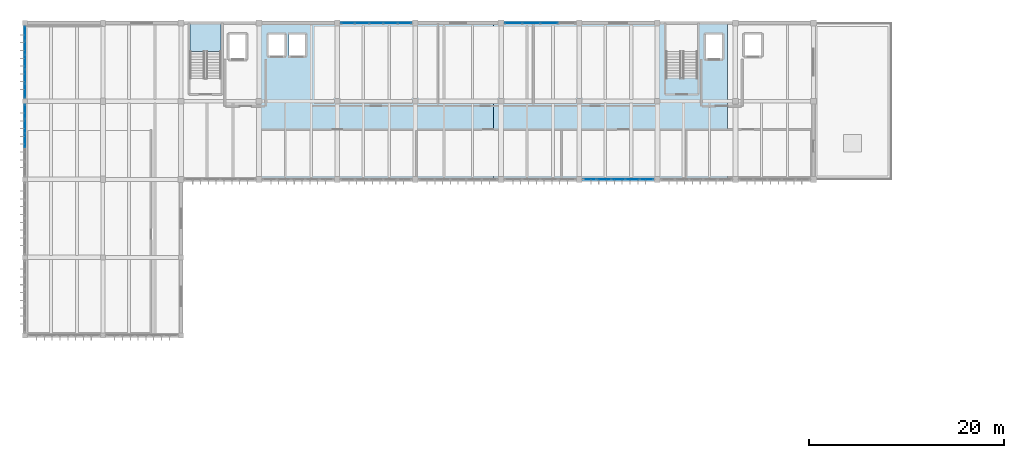
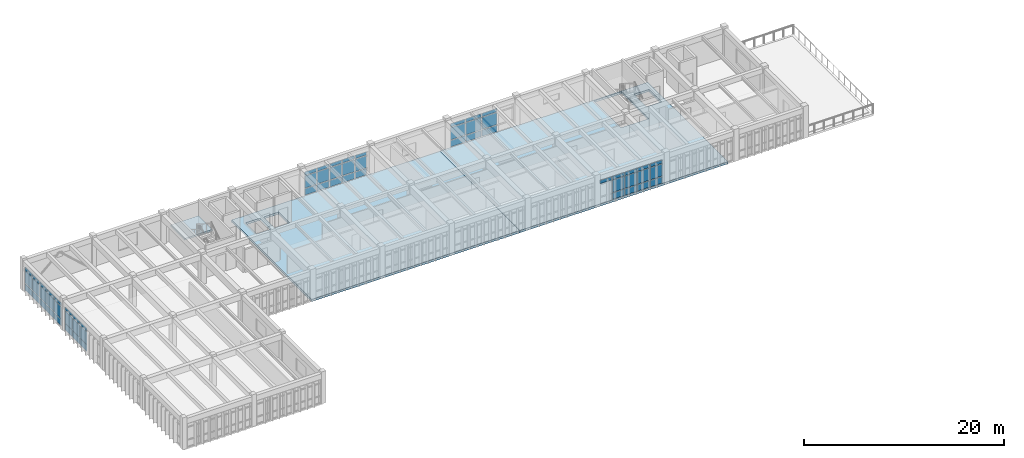
# One storey, part 13 of 22: 61 plates, 3 slabs, 6 elements without a shape of their own.
"""IFC4 building model written with IfcOpenShell, lengths in metres."""

from ifc_helpers import new_model, si_unit, direction, frame, origin, origin_2d, place, context, subcontext, project, spatial, polyline, rectangle, outline, extrude, material, layer, layer_set, type_object, element, aggregate, save


model = new_model("IFC4")

# Units and contexts
model_context = context("Model", 3, precision=1e-05, world=origin(), true_north=direction((0.0, 1.0)))
body_context = subcontext(model_context, "Body", "Model", "MODEL_VIEW")
ifc_project = project(units=[si_unit("LENGTHUNIT", "METRE"), si_unit("AREAUNIT", "SQUARE_METRE"), si_unit("VOLUMEUNIT", "CUBIC_METRE"), si_unit("PLANEANGLEUNIT", "RADIAN"), si_unit("MASSUNIT", "GRAM", prefix="KILO")], contexts=[model_context])

# Site, building, storey
site_placement = place(None, origin())
site = spatial("IfcSite", under=ifc_project, at=site_placement, CompositionType="ELEMENT")
building_placement = place(site_placement, origin())
building = spatial("IfcBuilding", under=site, at=building_placement, Name="Tlaxcora Railside Police Headquarters", CompositionType="ELEMENT")
storey_placement = place(building_placement, frame((0.0, 0.0, 21.89990234375)))
storey = spatial("IfcBuildingStorey", under=building, at=storey_placement, Name="L05", CompositionType="ELEMENT", Elevation=21.89990234375)

# Curtain wall, plates
ifc_material_1 = material(Name="Thermally broken low-E insulated glazing", Category="glass")
curtain_wall_type_1 = type_object("IfcCurtainWallType", Name="Unitised Curtain Wall Assembly CW-23", PredefinedType="NOTDEFINED", material=ifc_material_1)
curtain_wall_1_placement = place(storey_placement, origin())
curtain_wall_1 = element("IfcCurtainWall", 1, at=curtain_wall_1_placement, inside=storey, type_object=curtain_wall_type_1, Name="V5 L05 curtain wall 112", PredefinedType="NOTDEFINED")
ifc_layer_1 = layer(ifc_material_1, 0.0400390625, Name="Thermally broken low-E insulated glazing")
ifc_layer_set_1 = layer_set([ifc_layer_1], Name="Thermally broken low-E insulated glazing")
plate_type_1 = type_object("IfcPlateType", Name="Curtain Wall Infill Panel CW-17", PredefinedType="CURTAIN_PANEL", material=ifc_layer_set_1)
plate_1_placement = place(storey_placement, frame((63.10009765625, 76.800048828125, 2.490234375), z_axis=(0.0, 0.0, 1.0), x_axis=(1.0, 0.0, 0.0)))
plate_1 = element("IfcPlate", 2, at=plate_1_placement, type_object=plate_type_1, Name="CW panel 1.3", PredefinedType="CURTAIN_PANEL", context=body_context, shape_type="SweptSolid", body=[
    extrude(rectangle(XDim=1.340087890625, YDim=0.0400390625, at=origin_2d()), origin(), (0.0, 0.0, 1.0), 0.409912109375),
])
plate_2_placement = place(storey_placement, frame((64.5400390625, 76.800048828125, 0.080078125), z_axis=(0.0, 0.0, 1.0), x_axis=(1.0, 0.0, 0.0)))
plate_2 = element("IfcPlate", 3, at=plate_2_placement, type_object=plate_type_1, Name="CW panel 2.1", PredefinedType="CURTAIN_PANEL", context=body_context, shape_type="SweptSolid", body=[
    extrude(rectangle(XDim=1.3798828125, YDim=0.0400390625, at=origin_2d()), origin(), (0.0, 0.0, 1.0), 0.780029296875),
])
plate_3_placement = place(storey_placement, frame((64.5400390625, 76.800048828125, 0.93994140625), z_axis=(0.0, 0.0, 1.0), x_axis=(1.0, 0.0, 0.0)))
plate_3 = element("IfcPlate", 4, at=plate_3_placement, type_object=plate_type_1, Name="CW panel 2.2", PredefinedType="CURTAIN_PANEL", context=body_context, shape_type="SweptSolid", body=[
    extrude(rectangle(XDim=1.3798828125, YDim=0.0400390625, at=origin_2d()), origin(), (0.0, 0.0, 1.0), 1.469970703125),
])
plate_4_placement = place(storey_placement, frame((64.5400390625, 76.800048828125, 2.490234375), z_axis=(0.0, 0.0, 1.0), x_axis=(1.0, 0.0, 0.0)))
plate_4 = element("IfcPlate", 5, at=plate_4_placement, type_object=plate_type_1, Name="CW panel 2.3", PredefinedType="CURTAIN_PANEL", context=body_context, shape_type="SweptSolid", body=[
    extrude(rectangle(XDim=1.3798828125, YDim=0.0400390625, at=origin_2d()), origin(), (0.0, 0.0, 1.0), 0.409912109375),
])
plate_5_placement = place(storey_placement, frame((66.0, 76.800048828125, 0.080078125), z_axis=(0.0, 0.0, 1.0), x_axis=(1.0, 0.0, 0.0)))
plate_5 = element("IfcPlate", 6, at=plate_5_placement, type_object=plate_type_1, Name="CW panel 3.1", PredefinedType="CURTAIN_PANEL", context=body_context, shape_type="SweptSolid", body=[
    extrude(rectangle(XDim=1.3798828125, YDim=0.0400390625, at=origin_2d()), origin(), (0.0, 0.0, 1.0), 0.780029296875),
])
plate_6_placement = place(storey_placement, frame((66.0, 76.800048828125, 0.93994140625), z_axis=(0.0, 0.0, 1.0), x_axis=(1.0, 0.0, 0.0)))
plate_6 = element("IfcPlate", 7, at=plate_6_placement, type_object=plate_type_1, Name="CW panel 3.2", PredefinedType="CURTAIN_PANEL", context=body_context, shape_type="SweptSolid", body=[
    extrude(rectangle(XDim=1.3798828125, YDim=0.0400390625, at=origin_2d()), origin(), (0.0, 0.0, 1.0), 1.469970703125),
])
plate_7_placement = place(storey_placement, frame((66.0, 76.800048828125, 2.490234375), z_axis=(0.0, 0.0, 1.0), x_axis=(1.0, 0.0, 0.0)))
plate_7 = element("IfcPlate", 8, at=plate_7_placement, type_object=plate_type_1, Name="CW panel 3.3", PredefinedType="CURTAIN_PANEL", context=body_context, shape_type="SweptSolid", body=[
    extrude(rectangle(XDim=1.3798828125, YDim=0.0400390625, at=origin_2d()), origin(), (0.0, 0.0, 1.0), 0.409912109375),
])
plate_8_placement = place(storey_placement, frame((67.4599609375, 76.800048828125, 0.080078125), z_axis=(0.0, 0.0, 1.0), x_axis=(1.0, 0.0, 0.0)))
plate_8 = element("IfcPlate", 9, at=plate_8_placement, type_object=plate_type_1, Name="CW panel 4.1", PredefinedType="CURTAIN_PANEL", context=body_context, shape_type="SweptSolid", body=[
    extrude(rectangle(XDim=1.3798828125, YDim=0.0400390625, at=origin_2d()), origin(), (0.0, 0.0, 1.0), 0.780029296875),
])
plate_9_placement = place(storey_placement, frame((67.4599609375, 76.800048828125, 0.93994140625), z_axis=(0.0, 0.0, 1.0), x_axis=(1.0, 0.0, 0.0)))
plate_9 = element("IfcPlate", 10, at=plate_9_placement, type_object=plate_type_1, Name="CW panel 4.2", PredefinedType="CURTAIN_PANEL", context=body_context, shape_type="SweptSolid", body=[
    extrude(rectangle(XDim=1.3798828125, YDim=0.0400390625, at=origin_2d()), origin(), (0.0, 0.0, 1.0), 1.469970703125),
])
plate_10_placement = place(storey_placement, frame((67.4599609375, 76.800048828125, 2.490234375), z_axis=(0.0, 0.0, 1.0), x_axis=(1.0, 0.0, 0.0)))
plate_10 = element("IfcPlate", 11, at=plate_10_placement, type_object=plate_type_1, Name="CW panel 4.3", PredefinedType="CURTAIN_PANEL", context=body_context, shape_type="SweptSolid", body=[
    extrude(rectangle(XDim=1.3798828125, YDim=0.0400390625, at=origin_2d()), origin(), (0.0, 0.0, 1.0), 0.409912109375),
])
plate_11_placement = place(storey_placement, frame((68.89990234375, 76.800048828125, 0.080078125), z_axis=(0.0, 0.0, 1.0), x_axis=(1.0, 0.0, 0.0)))
plate_11 = element("IfcPlate", 12, at=plate_11_placement, type_object=plate_type_1, Name="CW panel 5.1", PredefinedType="CURTAIN_PANEL", context=body_context, shape_type="SweptSolid", body=[
    extrude(rectangle(XDim=1.340087890625, YDim=0.0400390625, at=origin_2d()), origin(), (0.0, 0.0, 1.0), 0.780029296875),
])
plate_12_placement = place(storey_placement, frame((68.89990234375, 76.800048828125, 0.93994140625), z_axis=(0.0, 0.0, 1.0), x_axis=(1.0, 0.0, 0.0)))
plate_12 = element("IfcPlate", 13, at=plate_12_placement, type_object=plate_type_1, Name="CW panel 5.2", PredefinedType="CURTAIN_PANEL", context=body_context, shape_type="SweptSolid", body=[
    extrude(rectangle(XDim=1.340087890625, YDim=0.0400390625, at=origin_2d()), origin(), (0.0, 0.0, 1.0), 1.469970703125),
])
plate_13_placement = place(storey_placement, frame((68.89990234375, 76.800048828125, 2.490234375), z_axis=(0.0, 0.0, 1.0), x_axis=(1.0, 0.0, 0.0)))
plate_13 = element("IfcPlate", 14, at=plate_13_placement, type_object=plate_type_1, Name="CW panel 5.3", PredefinedType="CURTAIN_PANEL", context=body_context, shape_type="SweptSolid", body=[
    extrude(rectangle(XDim=1.340087890625, YDim=0.0400390625, at=origin_2d()), origin(), (0.0, 0.0, 1.0), 0.409912109375),
])
aggregate(curtain_wall_1, [plate_1, plate_2, plate_3, plate_4, plate_5, plate_6, plate_7, plate_8, plate_9, plate_10, plate_11, plate_12, plate_13])

curtain_wall_2_placement = place(storey_placement, origin())
curtain_wall_2 = element("IfcCurtainWall", 15, at=curtain_wall_2_placement, inside=storey, type_object=curtain_wall_type_1, Name="V5 L05 curtain wall 116", PredefinedType="NOTDEFINED")
plate_14_placement = place(storey_placement, frame((44.10009765625, 92.800048828125, 0.080078125), z_axis=(0.0, 0.0, 1.0), x_axis=(-1.0, 0.0, 0.0)))
plate_14 = element("IfcPlate", 16, at=plate_14_placement, type_object=plate_type_1, Name="CW panel 1.1", PredefinedType="CURTAIN_PANEL", context=body_context, shape_type="SweptSolid", body=[
    extrude(rectangle(XDim=1.340087890625, YDim=0.0400390625, at=origin_2d()), origin(), (0.0, 0.0, 1.0), 0.780029296875),
])
plate_15_placement = place(storey_placement, frame((44.10009765625, 92.800048828125, 0.93994140625), z_axis=(0.0, 0.0, 1.0), x_axis=(-1.0, 0.0, 0.0)))
plate_15 = element("IfcPlate", 17, at=plate_15_placement, type_object=plate_type_1, Name="CW panel 1.2", PredefinedType="CURTAIN_PANEL", context=body_context, shape_type="SweptSolid", body=[
    extrude(rectangle(XDim=1.340087890625, YDim=0.0400390625, at=origin_2d()), origin(), (0.0, 0.0, 1.0), 1.469970703125),
])
plate_16_placement = place(storey_placement, frame((44.10009765625, 92.800048828125, 2.490234375), z_axis=(0.0, 0.0, 1.0), x_axis=(-1.0, 0.0, 0.0)))
plate_16 = element("IfcPlate", 18, at=plate_16_placement, type_object=plate_type_1, Name="CW panel 1.3", PredefinedType="CURTAIN_PANEL", context=body_context, shape_type="SweptSolid", body=[
    extrude(rectangle(XDim=1.340087890625, YDim=0.0400390625, at=origin_2d()), origin(), (0.0, 0.0, 1.0), 0.409912109375),
])
plate_17_placement = place(storey_placement, frame((42.659912109375, 92.800048828125, 0.080078125), z_axis=(0.0, 0.0, 1.0), x_axis=(-1.0, 0.0, 0.0)))
plate_17 = element("IfcPlate", 19, at=plate_17_placement, type_object=plate_type_1, Name="CW panel 2.1", PredefinedType="CURTAIN_PANEL", context=body_context, shape_type="SweptSolid", body=[
    extrude(rectangle(XDim=1.3798828125, YDim=0.0400390625, at=origin_2d()), origin(), (0.0, 0.0, 1.0), 0.780029296875),
])
plate_18_placement = place(storey_placement, frame((42.659912109375, 92.800048828125, 0.93994140625), z_axis=(0.0, 0.0, 1.0), x_axis=(-1.0, 0.0, 0.0)))
plate_18 = element("IfcPlate", 20, at=plate_18_placement, type_object=plate_type_1, Name="CW panel 2.2", PredefinedType="CURTAIN_PANEL", context=body_context, shape_type="SweptSolid", body=[
    extrude(rectangle(XDim=1.3798828125, YDim=0.0400390625, at=origin_2d()), origin(), (0.0, 0.0, 1.0), 1.469970703125),
])
plate_19_placement = place(storey_placement, frame((42.659912109375, 92.800048828125, 2.490234375), z_axis=(0.0, 0.0, 1.0), x_axis=(-1.0, 0.0, 0.0)))
plate_19 = element("IfcPlate", 21, at=plate_19_placement, type_object=plate_type_1, Name="CW panel 2.3", PredefinedType="CURTAIN_PANEL", context=body_context, shape_type="SweptSolid", body=[
    extrude(rectangle(XDim=1.3798828125, YDim=0.0400390625, at=origin_2d()), origin(), (0.0, 0.0, 1.0), 0.409912109375),
])
plate_20_placement = place(storey_placement, frame((41.199951171875, 92.800048828125, 0.080078125), z_axis=(0.0, 0.0, 1.0), x_axis=(-1.0, 0.0, 0.0)))
plate_20 = element("IfcPlate", 22, at=plate_20_placement, type_object=plate_type_1, Name="CW panel 3.1", PredefinedType="CURTAIN_PANEL", context=body_context, shape_type="SweptSolid", body=[
    extrude(rectangle(XDim=1.3798828125, YDim=0.0400390625, at=origin_2d()), origin(), (0.0, 0.0, 1.0), 0.780029296875),
])
plate_21_placement = place(storey_placement, frame((41.199951171875, 92.800048828125, 0.93994140625), z_axis=(0.0, 0.0, 1.0), x_axis=(-1.0, 0.0, 0.0)))
plate_21 = element("IfcPlate", 23, at=plate_21_placement, type_object=plate_type_1, Name="CW panel 3.2", PredefinedType="CURTAIN_PANEL", context=body_context, shape_type="SweptSolid", body=[
    extrude(rectangle(XDim=1.3798828125, YDim=0.0400390625, at=origin_2d()), origin(), (0.0, 0.0, 1.0), 1.469970703125),
])
plate_22_placement = place(storey_placement, frame((41.199951171875, 92.800048828125, 2.490234375), z_axis=(0.0, 0.0, 1.0), x_axis=(-1.0, 0.0, 0.0)))
plate_22 = element("IfcPlate", 24, at=plate_22_placement, type_object=plate_type_1, Name="CW panel 3.3", PredefinedType="CURTAIN_PANEL", context=body_context, shape_type="SweptSolid", body=[
    extrude(rectangle(XDim=1.3798828125, YDim=0.0400390625, at=origin_2d()), origin(), (0.0, 0.0, 1.0), 0.409912109375),
])
plate_23_placement = place(storey_placement, frame((39.739990234375, 92.800048828125, 0.080078125), z_axis=(0.0, 0.0, 1.0), x_axis=(-1.0, 0.0, 0.0)))
plate_23 = element("IfcPlate", 25, at=plate_23_placement, type_object=plate_type_1, Name="CW panel 4.1", PredefinedType="CURTAIN_PANEL", context=body_context, shape_type="SweptSolid", body=[
    extrude(rectangle(XDim=1.3798828125, YDim=0.0400390625, at=origin_2d()), origin(), (0.0, 0.0, 1.0), 0.780029296875),
])
plate_24_placement = place(storey_placement, frame((39.739990234375, 92.800048828125, 0.93994140625), z_axis=(0.0, 0.0, 1.0), x_axis=(-1.0, 0.0, 0.0)))
plate_24 = element("IfcPlate", 26, at=plate_24_placement, type_object=plate_type_1, Name="CW panel 4.2", PredefinedType="CURTAIN_PANEL", context=body_context, shape_type="SweptSolid", body=[
    extrude(rectangle(XDim=1.3798828125, YDim=0.0400390625, at=origin_2d()), origin(), (0.0, 0.0, 1.0), 1.469970703125),
])
plate_25_placement = place(storey_placement, frame((39.739990234375, 92.800048828125, 2.490234375), z_axis=(0.0, 0.0, 1.0), x_axis=(-1.0, 0.0, 0.0)))
plate_25 = element("IfcPlate", 27, at=plate_25_placement, type_object=plate_type_1, Name="CW panel 4.3", PredefinedType="CURTAIN_PANEL", context=body_context, shape_type="SweptSolid", body=[
    extrude(rectangle(XDim=1.3798828125, YDim=0.0400390625, at=origin_2d()), origin(), (0.0, 0.0, 1.0), 0.409912109375),
])
plate_26_placement = place(storey_placement, frame((38.300048828125, 92.800048828125, 0.080078125), z_axis=(0.0, 0.0, 1.0), x_axis=(-1.0, 0.0, 0.0)))
plate_26 = element("IfcPlate", 28, at=plate_26_placement, type_object=plate_type_1, Name="CW panel 5.1", PredefinedType="CURTAIN_PANEL", context=body_context, shape_type="SweptSolid", body=[
    extrude(rectangle(XDim=1.340087890625, YDim=0.0400390625, at=origin_2d()), origin(), (0.0, 0.0, 1.0), 0.780029296875),
])
plate_27_placement = place(storey_placement, frame((38.300048828125, 92.800048828125, 0.93994140625), z_axis=(0.0, 0.0, 1.0), x_axis=(-1.0, 0.0, 0.0)))
plate_27 = element("IfcPlate", 29, at=plate_27_placement, type_object=plate_type_1, Name="CW panel 5.2", PredefinedType="CURTAIN_PANEL", context=body_context, shape_type="SweptSolid", body=[
    extrude(rectangle(XDim=1.340087890625, YDim=0.0400390625, at=origin_2d()), origin(), (0.0, 0.0, 1.0), 1.469970703125),
])
plate_28_placement = place(storey_placement, frame((38.300048828125, 92.800048828125, 2.490234375), z_axis=(0.0, 0.0, 1.0), x_axis=(-1.0, 0.0, 0.0)))
plate_28 = element("IfcPlate", 30, at=plate_28_placement, type_object=plate_type_1, Name="CW panel 5.3", PredefinedType="CURTAIN_PANEL", context=body_context, shape_type="SweptSolid", body=[
    extrude(rectangle(XDim=1.340087890625, YDim=0.0400390625, at=origin_2d()), origin(), (0.0, 0.0, 1.0), 0.409912109375),
])
aggregate(curtain_wall_2, [plate_14, plate_15, plate_16, plate_17, plate_18, plate_19, plate_20, plate_21, plate_22, plate_23, plate_24, plate_25, plate_26, plate_27, plate_28])

curtain_wall_type_2 = type_object("IfcCurtainWallType", Name="Unitised Curtain Wall Assembly CW-15", PredefinedType="NOTDEFINED", material=ifc_material_1)
curtain_wall_3_placement = place(storey_placement, origin())
curtain_wall_3 = element("IfcCurtainWall", 31, at=curtain_wall_3_placement, inside=storey, type_object=curtain_wall_type_2, Name="V5 L05 curtain wall 118", PredefinedType="NOTDEFINED")
ifc_layer_2 = layer(ifc_material_1, 0.031982421875, Name="Thermally broken low-E insulated glazing")
ifc_layer_set_2 = layer_set([ifc_layer_2], Name="Thermally broken low-E insulated glazing")
plate_type_2 = type_object("IfcPlateType", Name="Curtain Wall Infill Panel CW-41", PredefinedType="CURTAIN_PANEL", material=ifc_layer_set_2)
plate_29_placement = place(storey_placement, frame((5.199951171875, 83.7412109375, 0.074951171875), z_axis=(0.0, 0.0, 1.0), x_axis=(0.0, -1.0, 0.0)))
plate_29 = element("IfcPlate", 32, at=plate_29_placement, type_object=plate_type_2, Name="CW panel 1.1", PredefinedType="CURTAIN_PANEL", context=body_context, shape_type="SweptSolid", body=[
    extrude(rectangle(XDim=1.367431640625, YDim=0.031982421875, at=origin_2d()), origin(), (0.0, 0.0, 1.0), 0.78759765625),
])
plate_30_placement = place(storey_placement, frame((5.199951171875, 83.7412109375, 0.9375), z_axis=(0.0, 0.0, 1.0), x_axis=(0.0, -1.0, 0.0)))
plate_30 = element("IfcPlate", 33, at=plate_30_placement, type_object=plate_type_2, Name="CW panel 1.2", PredefinedType="CURTAIN_PANEL", context=body_context, shape_type="SweptSolid", body=[
    extrude(rectangle(XDim=1.367431640625, YDim=0.031982421875, at=origin_2d()), origin(), (0.0, 0.0, 1.0), 1.47509765625),
])
plate_31_placement = place(storey_placement, frame((5.199951171875, 83.7412109375, 2.487548828125), z_axis=(0.0, 0.0, 1.0), x_axis=(0.0, -1.0, 0.0)))
plate_31 = element("IfcPlate", 34, at=plate_31_placement, type_object=plate_type_2, Name="CW panel 1.3", PredefinedType="CURTAIN_PANEL", context=body_context, shape_type="SweptSolid", body=[
    extrude(rectangle(XDim=1.367431640625, YDim=0.031982421875, at=origin_2d()), origin(), (0.0, 0.0, 1.0), 0.41748046875),
])
plate_32_placement = place(storey_placement, frame((5.199951171875, 82.280029296875, 0.074951171875), z_axis=(0.0, 0.0, 1.0), x_axis=(0.0, -1.0, 0.0)))
plate_32 = element("IfcPlate", 35, at=plate_32_placement, type_object=plate_type_2, Name="CW panel 2.1", PredefinedType="CURTAIN_PANEL", context=body_context, shape_type="SweptSolid", body=[
    extrude(rectangle(XDim=1.405029296875, YDim=0.031982421875, at=origin_2d()), origin(), (0.0, 0.0, 1.0), 0.78759765625),
])
plate_33_placement = place(storey_placement, frame((5.199951171875, 82.280029296875, 0.9375), z_axis=(0.0, 0.0, 1.0), x_axis=(0.0, -1.0, 0.0)))
plate_33 = element("IfcPlate", 36, at=plate_33_placement, type_object=plate_type_2, Name="CW panel 2.2", PredefinedType="CURTAIN_PANEL", context=body_context, shape_type="SweptSolid", body=[
    extrude(rectangle(XDim=1.405029296875, YDim=0.031982421875, at=origin_2d()), origin(), (0.0, 0.0, 1.0), 1.47509765625),
])
plate_34_placement = place(storey_placement, frame((5.199951171875, 82.280029296875, 2.487548828125), z_axis=(0.0, 0.0, 1.0), x_axis=(0.0, -1.0, 0.0)))
plate_34 = element("IfcPlate", 37, at=plate_34_placement, type_object=plate_type_2, Name="CW panel 2.3", PredefinedType="CURTAIN_PANEL", context=body_context, shape_type="SweptSolid", body=[
    extrude(rectangle(XDim=1.405029296875, YDim=0.031982421875, at=origin_2d()), origin(), (0.0, 0.0, 1.0), 0.41748046875),
])
plate_35_placement = place(storey_placement, frame((5.199951171875, 80.800048828125, 0.074951171875), z_axis=(0.0, 0.0, 1.0), x_axis=(0.0, -1.0, 0.0)))
plate_35 = element("IfcPlate", 38, at=plate_35_placement, type_object=plate_type_2, Name="CW panel 3.1", PredefinedType="CURTAIN_PANEL", context=body_context, shape_type="SweptSolid", body=[
    extrude(rectangle(XDim=1.405029296875, YDim=0.031982421875, at=origin_2d()), origin(), (0.0, 0.0, 1.0), 0.78759765625),
])
plate_36_placement = place(storey_placement, frame((5.199951171875, 80.800048828125, 0.9375), z_axis=(0.0, 0.0, 1.0), x_axis=(0.0, -1.0, 0.0)))
plate_36 = element("IfcPlate", 39, at=plate_36_placement, type_object=plate_type_2, Name="CW panel 3.2", PredefinedType="CURTAIN_PANEL", context=body_context, shape_type="SweptSolid", body=[
    extrude(rectangle(XDim=1.405029296875, YDim=0.031982421875, at=origin_2d()), origin(), (0.0, 0.0, 1.0), 1.47509765625),
])
plate_37_placement = place(storey_placement, frame((5.199951171875, 80.800048828125, 2.487548828125), z_axis=(0.0, 0.0, 1.0), x_axis=(0.0, -1.0, 0.0)))
plate_37 = element("IfcPlate", 40, at=plate_37_placement, type_object=plate_type_2, Name="CW panel 3.3", PredefinedType="CURTAIN_PANEL", context=body_context, shape_type="SweptSolid", body=[
    extrude(rectangle(XDim=1.405029296875, YDim=0.031982421875, at=origin_2d()), origin(), (0.0, 0.0, 1.0), 0.41748046875),
])
aggregate(curtain_wall_3, [plate_29, plate_30, plate_31, plate_32, plate_33, plate_34, plate_35, plate_36, plate_37])

curtain_wall_type_3 = type_object("IfcCurtainWallType", Name="Unitised Curtain Wall Assembly CW-83", PredefinedType="NOTDEFINED", material=ifc_material_1)
curtain_wall_4_placement = place(storey_placement, origin())
curtain_wall_4 = element("IfcCurtainWall", 41, at=curtain_wall_4_placement, inside=storey, type_object=curtain_wall_type_3, Name="V5 L05 curtain wall 115", PredefinedType="NOTDEFINED")
ifc_layer_3 = layer(ifc_material_1, 0.035888671875, Name="Thermally broken low-E insulated glazing")
ifc_layer_set_3 = layer_set([ifc_layer_3], Name="Thermally broken low-E insulated glazing")
plate_type_3 = type_object("IfcPlateType", Name="Curtain Wall Infill Panel CW-72", PredefinedType="CURTAIN_PANEL", material=ifc_layer_set_3)
plate_38_placement = place(storey_placement, frame((58.91259765625, 92.800048828125, 0.080078125), z_axis=(0.0, 0.0, 1.0), x_axis=(-1.0, 0.0, 0.0)))
plate_38 = element("IfcPlate", 42, at=plate_38_placement, type_object=plate_type_3, Name="CW panel 2.1", PredefinedType="CURTAIN_PANEL", context=body_context, shape_type="SweptSolid", body=[
    extrude(rectangle(XDim=1.7451171875, YDim=0.035888671875, at=origin_2d()), origin(), (0.0, 0.0, 1.0), 0.780029296875),
])
plate_39_placement = place(storey_placement, frame((58.91259765625, 92.800048828125, 0.93994140625), z_axis=(0.0, 0.0, 1.0), x_axis=(-1.0, 0.0, 0.0)))
plate_39 = element("IfcPlate", 43, at=plate_39_placement, type_object=plate_type_3, Name="CW panel 2.2", PredefinedType="CURTAIN_PANEL", context=body_context, shape_type="SweptSolid", body=[
    extrude(rectangle(XDim=1.7451171875, YDim=0.035888671875, at=origin_2d()), origin(), (0.0, 0.0, 1.0), 1.469970703125),
])
plate_40_placement = place(storey_placement, frame((58.91259765625, 92.800048828125, 2.490234375), z_axis=(0.0, 0.0, 1.0), x_axis=(-1.0, 0.0, 0.0)))
plate_40 = element("IfcPlate", 44, at=plate_40_placement, type_object=plate_type_3, Name="CW panel 2.3", PredefinedType="CURTAIN_PANEL", context=body_context, shape_type="SweptSolid", body=[
    extrude(rectangle(XDim=1.7451171875, YDim=0.035888671875, at=origin_2d()), origin(), (0.0, 0.0, 1.0), 0.409912109375),
])
plate_41_placement = place(storey_placement, frame((57.08740234375, 92.800048828125, 0.080078125), z_axis=(0.0, 0.0, 1.0), x_axis=(-1.0, 0.0, 0.0)))
plate_41 = element("IfcPlate", 45, at=plate_41_placement, type_object=plate_type_3, Name="CW panel 3.1", PredefinedType="CURTAIN_PANEL", context=body_context, shape_type="SweptSolid", body=[
    extrude(rectangle(XDim=1.7451171875, YDim=0.035888671875, at=origin_2d()), origin(), (0.0, 0.0, 1.0), 0.780029296875),
])
plate_42_placement = place(storey_placement, frame((57.08740234375, 92.800048828125, 0.93994140625), z_axis=(0.0, 0.0, 1.0), x_axis=(-1.0, 0.0, 0.0)))
plate_42 = element("IfcPlate", 46, at=plate_42_placement, type_object=plate_type_3, Name="CW panel 3.2", PredefinedType="CURTAIN_PANEL", context=body_context, shape_type="SweptSolid", body=[
    extrude(rectangle(XDim=1.7451171875, YDim=0.035888671875, at=origin_2d()), origin(), (0.0, 0.0, 1.0), 1.469970703125),
])
plate_43_placement = place(storey_placement, frame((57.08740234375, 92.800048828125, 2.490234375), z_axis=(0.0, 0.0, 1.0), x_axis=(-1.0, 0.0, 0.0)))
plate_43 = element("IfcPlate", 47, at=plate_43_placement, type_object=plate_type_3, Name="CW panel 3.3", PredefinedType="CURTAIN_PANEL", context=body_context, shape_type="SweptSolid", body=[
    extrude(rectangle(XDim=1.7451171875, YDim=0.035888671875, at=origin_2d()), origin(), (0.0, 0.0, 1.0), 0.409912109375),
])
plate_44_placement = place(storey_placement, frame((55.282470703125, 92.800048828125, 0.080078125), z_axis=(0.0, 0.0, 1.0), x_axis=(-1.0, 0.0, 0.0)))
plate_44 = element("IfcPlate", 48, at=plate_44_placement, type_object=plate_type_3, Name="CW panel 4.1", PredefinedType="CURTAIN_PANEL", context=body_context, shape_type="SweptSolid", body=[
    extrude(rectangle(XDim=1.705078125, YDim=0.035888671875, at=origin_2d()), origin(), (0.0, 0.0, 1.0), 0.780029296875),
])
plate_45_placement = place(storey_placement, frame((55.282470703125, 92.800048828125, 0.93994140625), z_axis=(0.0, 0.0, 1.0), x_axis=(-1.0, 0.0, 0.0)))
plate_45 = element("IfcPlate", 49, at=plate_45_placement, type_object=plate_type_3, Name="CW panel 4.2", PredefinedType="CURTAIN_PANEL", context=body_context, shape_type="SweptSolid", body=[
    extrude(rectangle(XDim=1.705078125, YDim=0.035888671875, at=origin_2d()), origin(), (0.0, 0.0, 1.0), 1.469970703125),
])
plate_46_placement = place(storey_placement, frame((55.282470703125, 92.800048828125, 2.490234375), z_axis=(0.0, 0.0, 1.0), x_axis=(-1.0, 0.0, 0.0)))
plate_46 = element("IfcPlate", 50, at=plate_46_placement, type_object=plate_type_3, Name="CW panel 4.3", PredefinedType="CURTAIN_PANEL", context=body_context, shape_type="SweptSolid", body=[
    extrude(rectangle(XDim=1.705078125, YDim=0.035888671875, at=origin_2d()), origin(), (0.0, 0.0, 1.0), 0.409912109375),
])
aggregate(curtain_wall_4, [plate_38, plate_39, plate_40, plate_41, plate_42, plate_43, plate_44, plate_45, plate_46])

curtain_wall_type_4 = type_object("IfcCurtainWallType", Name="Unitised Curtain Wall Assembly CW-38", PredefinedType="NOTDEFINED", material=ifc_material_1)
curtain_wall_5_placement = place(storey_placement, origin())
curtain_wall_5 = element("IfcCurtainWall", 51, at=curtain_wall_5_placement, inside=storey, type_object=curtain_wall_type_4, Name="V5 L05 curtain wall 117", PredefinedType="NOTDEFINED")
ifc_layer_4 = layer(ifc_material_1, 0.028076171875, Name="Thermally broken low-E insulated glazing")
ifc_layer_set_4 = layer_set([ifc_layer_4], Name="Thermally broken low-E insulated glazing")
plate_type_4 = type_object("IfcPlateType", Name="Curtain Wall Infill Panel CW-92", PredefinedType="CURTAIN_PANEL", material=ifc_layer_set_4)
plate_47_placement = place(storey_placement, frame((5.199951171875, 91.7412109375, 0.074951171875), z_axis=(0.0, 0.0, 1.0), x_axis=(0.0, -1.0, 0.0)))
plate_47 = element("IfcPlate", 52, at=plate_47_placement, type_object=plate_type_4, Name="CW panel 1.1", PredefinedType="CURTAIN_PANEL", context=body_context, shape_type="SweptSolid", body=[
    extrude(rectangle(XDim=1.367431640625, YDim=0.028076171875, at=origin_2d()), origin(), (0.0, 0.0, 1.0), 0.78759765625),
])
plate_48_placement = place(storey_placement, frame((5.199951171875, 91.7412109375, 0.9375), z_axis=(0.0, 0.0, 1.0), x_axis=(0.0, -1.0, 0.0)))
plate_48 = element("IfcPlate", 53, at=plate_48_placement, type_object=plate_type_4, Name="CW panel 1.2", PredefinedType="CURTAIN_PANEL", context=body_context, shape_type="SweptSolid", body=[
    extrude(rectangle(XDim=1.367431640625, YDim=0.028076171875, at=origin_2d()), origin(), (0.0, 0.0, 1.0), 1.47509765625),
])
plate_49_placement = place(storey_placement, frame((5.199951171875, 91.7412109375, 2.487548828125), z_axis=(0.0, 0.0, 1.0), x_axis=(0.0, -1.0, 0.0)))
plate_49 = element("IfcPlate", 54, at=plate_49_placement, type_object=plate_type_4, Name="CW panel 1.3", PredefinedType="CURTAIN_PANEL", context=body_context, shape_type="SweptSolid", body=[
    extrude(rectangle(XDim=1.367431640625, YDim=0.028076171875, at=origin_2d()), origin(), (0.0, 0.0, 1.0), 0.41748046875),
])
plate_50_placement = place(storey_placement, frame((5.199951171875, 90.280029296875, 0.074951171875), z_axis=(0.0, 0.0, 1.0), x_axis=(0.0, -1.0, 0.0)))
plate_50 = element("IfcPlate", 55, at=plate_50_placement, type_object=plate_type_4, Name="CW panel 2.1", PredefinedType="CURTAIN_PANEL", context=body_context, shape_type="SweptSolid", body=[
    extrude(rectangle(XDim=1.405029296875, YDim=0.028076171875, at=origin_2d()), origin(), (0.0, 0.0, 1.0), 0.78759765625),
])
plate_51_placement = place(storey_placement, frame((5.199951171875, 90.280029296875, 0.9375), z_axis=(0.0, 0.0, 1.0), x_axis=(0.0, -1.0, 0.0)))
plate_51 = element("IfcPlate", 56, at=plate_51_placement, type_object=plate_type_4, Name="CW panel 2.2", PredefinedType="CURTAIN_PANEL", context=body_context, shape_type="SweptSolid", body=[
    extrude(rectangle(XDim=1.405029296875, YDim=0.028076171875, at=origin_2d()), origin(), (0.0, 0.0, 1.0), 1.47509765625),
])
plate_52_placement = place(storey_placement, frame((5.199951171875, 90.280029296875, 2.487548828125), z_axis=(0.0, 0.0, 1.0), x_axis=(0.0, -1.0, 0.0)))
plate_52 = element("IfcPlate", 57, at=plate_52_placement, type_object=plate_type_4, Name="CW panel 2.3", PredefinedType="CURTAIN_PANEL", context=body_context, shape_type="SweptSolid", body=[
    extrude(rectangle(XDim=1.405029296875, YDim=0.028076171875, at=origin_2d()), origin(), (0.0, 0.0, 1.0), 0.41748046875),
])
plate_53_placement = place(storey_placement, frame((5.199951171875, 88.800048828125, 0.074951171875), z_axis=(0.0, 0.0, 1.0), x_axis=(0.0, -1.0, 0.0)))
plate_53 = element("IfcPlate", 58, at=plate_53_placement, type_object=plate_type_4, Name="CW panel 3.1", PredefinedType="CURTAIN_PANEL", context=body_context, shape_type="SweptSolid", body=[
    extrude(rectangle(XDim=1.405029296875, YDim=0.028076171875, at=origin_2d()), origin(), (0.0, 0.0, 1.0), 0.78759765625),
])
plate_54_placement = place(storey_placement, frame((5.199951171875, 88.800048828125, 0.9375), z_axis=(0.0, 0.0, 1.0), x_axis=(0.0, -1.0, 0.0)))
plate_54 = element("IfcPlate", 59, at=plate_54_placement, type_object=plate_type_4, Name="CW panel 3.2", PredefinedType="CURTAIN_PANEL", context=body_context, shape_type="SweptSolid", body=[
    extrude(rectangle(XDim=1.405029296875, YDim=0.028076171875, at=origin_2d()), origin(), (0.0, 0.0, 1.0), 1.47509765625),
])
plate_55_placement = place(storey_placement, frame((5.199951171875, 88.800048828125, 2.487548828125), z_axis=(0.0, 0.0, 1.0), x_axis=(0.0, -1.0, 0.0)))
plate_55 = element("IfcPlate", 60, at=plate_55_placement, type_object=plate_type_4, Name="CW panel 3.3", PredefinedType="CURTAIN_PANEL", context=body_context, shape_type="SweptSolid", body=[
    extrude(rectangle(XDim=1.405029296875, YDim=0.028076171875, at=origin_2d()), origin(), (0.0, 0.0, 1.0), 0.41748046875),
])
plate_56_placement = place(storey_placement, frame((5.199951171875, 87.320068359375, 0.074951171875), z_axis=(0.0, 0.0, 1.0), x_axis=(0.0, -1.0, 0.0)))
plate_56 = element("IfcPlate", 61, at=plate_56_placement, type_object=plate_type_4, Name="CW panel 4.1", PredefinedType="CURTAIN_PANEL", context=body_context, shape_type="SweptSolid", body=[
    extrude(rectangle(XDim=1.405029296875, YDim=0.028076171875, at=origin_2d()), origin(), (0.0, 0.0, 1.0), 0.78759765625),
])
plate_57_placement = place(storey_placement, frame((5.199951171875, 87.320068359375, 0.9375), z_axis=(0.0, 0.0, 1.0), x_axis=(0.0, -1.0, 0.0)))
plate_57 = element("IfcPlate", 62, at=plate_57_placement, type_object=plate_type_4, Name="CW panel 4.2", PredefinedType="CURTAIN_PANEL", context=body_context, shape_type="SweptSolid", body=[
    extrude(rectangle(XDim=1.405029296875, YDim=0.028076171875, at=origin_2d()), origin(), (0.0, 0.0, 1.0), 1.47509765625),
])
plate_58_placement = place(storey_placement, frame((5.199951171875, 87.320068359375, 2.487548828125), z_axis=(0.0, 0.0, 1.0), x_axis=(0.0, -1.0, 0.0)))
plate_58 = element("IfcPlate", 63, at=plate_58_placement, type_object=plate_type_4, Name="CW panel 4.3", PredefinedType="CURTAIN_PANEL", context=body_context, shape_type="SweptSolid", body=[
    extrude(rectangle(XDim=1.405029296875, YDim=0.028076171875, at=origin_2d()), origin(), (0.0, 0.0, 1.0), 0.41748046875),
])
plate_59_placement = place(storey_placement, frame((5.199951171875, 85.858642578125, 0.074951171875), z_axis=(0.0, 0.0, 1.0), x_axis=(0.0, -1.0, 0.0)))
plate_59 = element("IfcPlate", 64, at=plate_59_placement, type_object=plate_type_4, Name="CW panel 5.1", PredefinedType="CURTAIN_PANEL", context=body_context, shape_type="SweptSolid", body=[
    extrude(rectangle(XDim=1.367431640625, YDim=0.028076171875, at=origin_2d()), origin(), (0.0, 0.0, 1.0), 0.78759765625),
])
plate_60_placement = place(storey_placement, frame((5.199951171875, 85.858642578125, 0.9375), z_axis=(0.0, 0.0, 1.0), x_axis=(0.0, -1.0, 0.0)))
plate_60 = element("IfcPlate", 65, at=plate_60_placement, type_object=plate_type_4, Name="CW panel 5.2", PredefinedType="CURTAIN_PANEL", context=body_context, shape_type="SweptSolid", body=[
    extrude(rectangle(XDim=1.367431640625, YDim=0.028076171875, at=origin_2d()), origin(), (0.0, 0.0, 1.0), 1.47509765625),
])
plate_61_placement = place(storey_placement, frame((5.199951171875, 85.858642578125, 2.487548828125), z_axis=(0.0, 0.0, 1.0), x_axis=(0.0, -1.0, 0.0)))
plate_61 = element("IfcPlate", 66, at=plate_61_placement, type_object=plate_type_4, Name="CW panel 5.3", PredefinedType="CURTAIN_PANEL", context=body_context, shape_type="SweptSolid", body=[
    extrude(rectangle(XDim=1.367431640625, YDim=0.028076171875, at=origin_2d()), origin(), (0.0, 0.0, 1.0), 0.41748046875),
])
aggregate(curtain_wall_5, [plate_47, plate_48, plate_49, plate_50, plate_51, plate_52, plate_53, plate_54, plate_55, plate_56, plate_57, plate_58, plate_59, plate_60, plate_61])

# Stair, slab
ifc_material_2 = material(Name="Concrete C40/50", Category="concrete")
stair_type = type_object("IfcStairType", Name="Half-Turn Dog-Leg Stair ST-30", PredefinedType="HALF_TURN_STAIR", material=ifc_material_2)
stair_placement = place(storey_placement, origin())
stair = element("IfcStair", 67, at=stair_placement, inside=storey, type_object=stair_type, Name="L05 ST1", PredefinedType="HALF_TURN_STAIR")
ifc_material_3 = material(Name="Concrete C35/45", Category="concrete")
ifc_layer_5 = layer(ifc_material_3, 0.199951171875, Name="Concrete C35/45")
ifc_layer_set_5 = layer_set([ifc_layer_5], Name="Concrete C35/45")
slab_type_1 = type_object("IfcSlabType", Name="Stair Landing Slab SL-23", PredefinedType="LANDING", material=ifc_layer_set_5)
slab_1_placement = place(storey_placement, frame((0.0, 0.0, 1.75)))
slab_1 = element("IfcSlab", 68, at=slab_1_placement, type_object=slab_type_1, Name="ST1 landing 1", PredefinedType="LANDING", context=body_context, shape_type="SweptSolid", body=[
    extrude(outline(polyline([(25.31005859375, 89.909912109375), (25.31005859375, 92.68994140625), (22.110107421875, 92.68994140625), (22.110107421875, 89.909912109375), (25.31005859375, 89.909912109375)])), origin(), (0.0, 0.0, 1.0), 0.2001953125),
])
aggregate(stair, [slab_1])

# Slabs
ifc_layer_6 = layer(ifc_material_3, 0.260009765625, Name="Concrete C35/45")
ifc_layer_set_6 = layer_set([ifc_layer_6], Name="Concrete C35/45")
slab_type_2 = type_object("IfcSlabType", Name="Suspended Floor Slab SL-78", PredefinedType="FLOOR", material=ifc_layer_set_6)
slab_2_placement = place(storey_placement, frame((0.0, 0.0, -0.260009765625)))
element("IfcSlab", 69, at=slab_2_placement, inside=storey, type_object=slab_type_2, Name="V5 L05 floor slab zone 2", PredefinedType="FLOOR", context=body_context, shape_type="SweptSolid", body=[
    extrude(outline(polyline([(53.199951171875, 92.800048828125), (29.199951171875, 92.800048828125), (29.199951171875, 76.800048828125), (53.199951171875, 76.800048828125), (53.199951171875, 92.800048828125)]), holes=[polyline([(31.85009765625, 89.449951171875), (30.14990234375, 89.449951171875), (30.14990234375, 91.64990234375), (31.85009765625, 91.64990234375), (31.85009765625, 89.449951171875)]), polyline([(32.25, 89.449951171875), (32.25, 91.64990234375), (33.949951171875, 91.64990234375), (33.949951171875, 89.449951171875), (32.25, 89.449951171875)])]), origin(), (0.0, 0.0, 1.0), 0.260009765625),
])
slab_3_placement = place(storey_placement, frame((0.0, 0.0, -0.260009765625)))
element("IfcSlab", 70, at=slab_3_placement, inside=storey, type_object=slab_type_2, Name="V5 L05 floor slab zone 3", PredefinedType="FLOOR", context=body_context, shape_type="SweptSolid", body=[
    extrude(outline(polyline([(77.199951171875, 92.800048828125), (53.199951171875, 92.800048828125), (53.199951171875, 76.800048828125), (77.199951171875, 76.800048828125), (77.199951171875, 92.800048828125)]), holes=[polyline([(70.909912109375, 92.68994140625), (74.110107421875, 92.68994140625), (74.110107421875, 87.25), (70.909912109375, 87.25), (70.909912109375, 92.68994140625)]), polyline([(76.64990234375, 91.64990234375), (76.64990234375, 89.14990234375), (74.949951171875, 89.14990234375), (74.949951171875, 91.64990234375), (76.64990234375, 91.64990234375)])]), origin(), (0.0, 0.0, 1.0), 0.260009765625),
])

save(model, "model.ifc")
